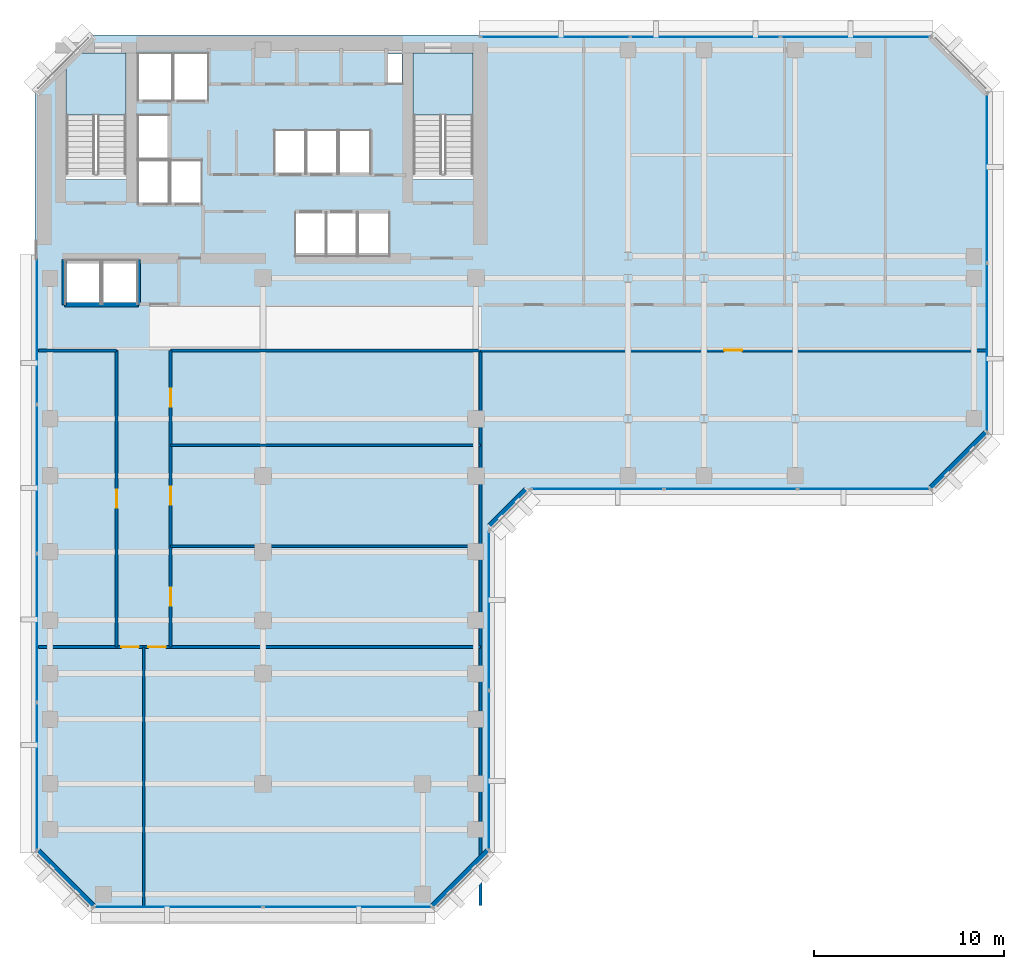
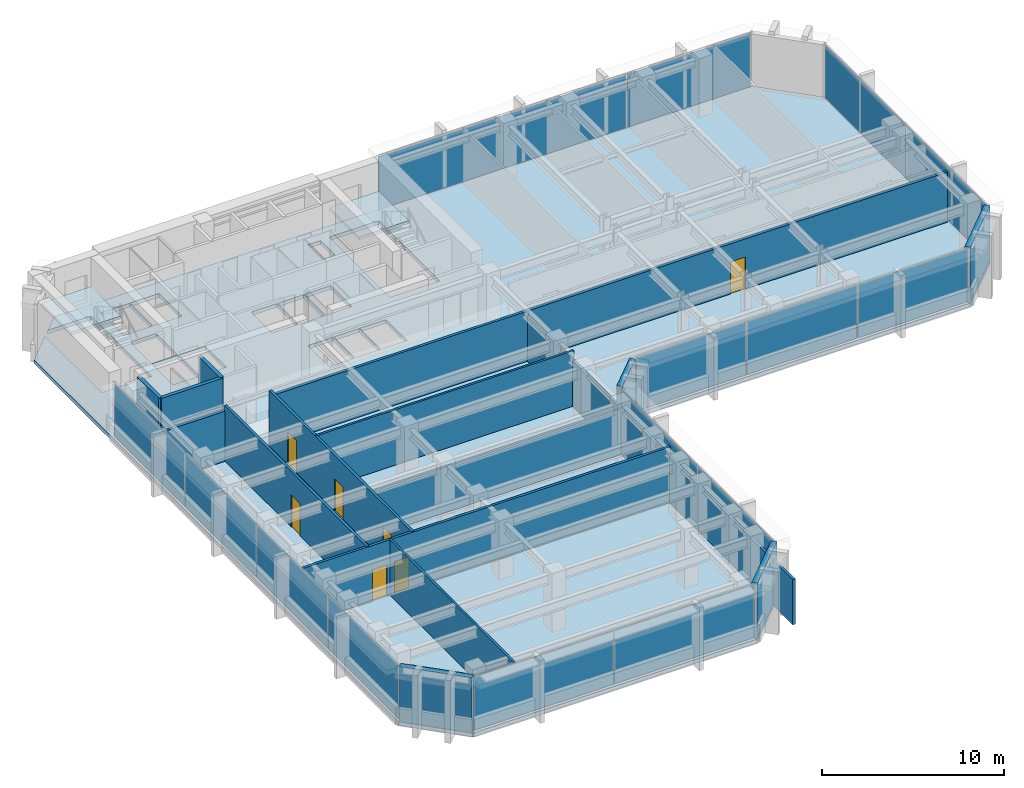
# One storey, part 6 of 11: 17 walls, 16 plates, 7 doors, 3 slabs, 7 openings, 8 elements without a shape of their own.
"""IFC4 building model written with IfcOpenShell, lengths in metres."""

from ifc_helpers import new_model, si_unit, direction, frame, frame_2d, origin, origin_2d, place, context, subcontext, project, spatial, polyline, rectangle, outline, extrude, material, layer, layer_set, type_object, element, fill, aggregate, save


model = new_model("IFC4")

# Units and contexts
model_context = context("Model", 3, precision=1e-05, world=origin(), true_north=direction((0.0, 1.0)))
body_context = subcontext(model_context, "Body", "Model", "MODEL_VIEW")
ifc_project = project(units=[si_unit("LENGTHUNIT", "METRE"), si_unit("AREAUNIT", "SQUARE_METRE"), si_unit("VOLUMEUNIT", "CUBIC_METRE"), si_unit("PLANEANGLEUNIT", "RADIAN"), si_unit("MASSUNIT", "GRAM", prefix="KILO")], contexts=[model_context])

# Site, building, storey
site_placement = place(None, origin())
site = spatial("IfcSite", under=ifc_project, at=site_placement, CompositionType="ELEMENT")
building_placement = place(site_placement, origin())
building = spatial("IfcBuilding", under=site, at=building_placement, Name="Kefirva Bronze Tower", CompositionType="ELEMENT")
storey_placement = place(building_placement, frame((0.0, 0.0, 187.43994140625)))
storey = spatial("IfcBuildingStorey", under=building, at=storey_placement, Name="L45", CompositionType="ELEMENT", Elevation=187.43994140625)

# Stair, slab
ifc_material_1 = material(Name="Concrete C40/50", Category="concrete")
stair_type = type_object("IfcStairType", Name="RC Dogleg Protected Stair 24R", PredefinedType="HALF_TURN_STAIR", material=ifc_material_1)
stair_1_placement = place(storey_placement, origin())
stair_1 = element("IfcStair", 1, at=stair_1_placement, inside=storey, type_object=stair_type, Name="L45 Protected Exit Stair 1", PredefinedType="HALF_TURN_STAIR")
ifc_layer_1 = layer(ifc_material_1, 0.199951171875, Name="Concrete C40/50")
ifc_layer_set_1 = layer_set([ifc_layer_1], Name="Concrete C40/50")
slab_type_1 = type_object("IfcSlabType", Name="RC Stair Landing Slab 200mm", PredefinedType="LANDING", material=ifc_layer_set_1)
slab_1_placement = place(storey_placement, frame((0.0, 0.0, 1.780029296875)))
slab_1 = element("IfcSlab", 2, at=slab_1_placement, type_object=slab_type_1, Name="ST-1 landing 1", PredefinedType="LANDING", context=body_context, shape_type="SweptSolid", body=[
    extrude(outline(polyline([(4.800048828125, 41.780029296875), (4.800048828125, 45.050048828125), (1.64990234375, 45.050048828125), (1.64990234375, 41.780029296875), (4.800048828125, 41.780029296875)])), origin(), (0.0, 0.0, 1.0), 0.199951171875),
])
aggregate(stair_1, [slab_1])

stair_2_placement = place(storey_placement, origin())
stair_2 = element("IfcStair", 3, at=stair_2_placement, inside=storey, type_object=stair_type, Name="L45 Protected Exit Stair 2", PredefinedType="HALF_TURN_STAIR")
slab_2_placement = place(storey_placement, frame((0.0, 0.0, 1.780029296875)))
slab_2 = element("IfcSlab", 4, at=slab_2_placement, type_object=slab_type_1, Name="ST-2 landing 1", PredefinedType="LANDING", context=body_context, shape_type="SweptSolid", body=[
    extrude(outline(polyline([(23.050048828125, 41.780029296875), (23.050048828125, 45.050048828125), (19.89990234375, 45.050048828125), (19.89990234375, 41.780029296875), (23.050048828125, 41.780029296875)])), origin(), (0.0, 0.0, 1.0), 0.199951171875),
])
aggregate(stair_2, [slab_2])

# Slab
ifc_layer_2 = layer(ifc_material_1, 0.25, Name="Concrete C40/50")
ifc_layer_set_2 = layer_set([ifc_layer_2], Name="Concrete C40/50")
slab_type_2 = type_object("IfcSlabType", Name="RC Tower Floor Slab 250mm", PredefinedType="FLOOR", material=ifc_layer_set_2)
slab_3_placement = place(storey_placement, frame((0.0, 0.0, -0.25)))
element("IfcSlab", 5, at=slab_3_placement, inside=storey, type_object=slab_type_2, Name="L45 Structural Floor Slab", PredefinedType="FLOOR", context=body_context, shape_type="SweptSolid", body=[
    extrude(outline(polyline([(0.0, 3.0), (0.0, 43.0), (1.64990234375, 44.64990234375), (1.64990234375, 38.39990234375), (4.800048828125, 38.39990234375), (4.800048828125, 45.050048828125), (2.050048828125, 45.050048828125), (3.0, 46.0), (47.199951171875, 46.0), (50.199951171875, 43.0), (50.199951171875, 25.0), (47.199951171875, 22.0), (26.0, 22.0), (24.0, 20.0), (24.0, 3.0), (21.0, 0.0), (3.0, 0.0), (0.0, 3.0)]), holes=[polyline([(23.050048828125, 38.39990234375), (23.050048828125, 45.050048828125), (19.89990234375, 45.050048828125), (19.89990234375, 38.39990234375), (23.050048828125, 38.39990234375)]), polyline([(19.320068359375, 43.419921875), (19.320068359375, 45.0), (18.52001953125, 45.0), (18.52001953125, 43.419921875), (19.320068359375, 43.419921875)]), polyline([(18.64990234375, 34.35009765625), (18.64990234375, 36.64990234375), (17.0, 36.64990234375), (17.0, 34.35009765625), (18.64990234375, 34.35009765625)]), polyline([(17.64990234375, 38.679931640625), (17.64990234375, 40.97998046875), (16.0, 40.97998046875), (16.0, 38.679931640625), (17.64990234375, 38.679931640625)]), polyline([(16.949951171875, 34.35009765625), (16.949951171875, 36.64990234375), (15.35009765625, 36.64990234375), (15.35009765625, 34.35009765625), (16.949951171875, 34.35009765625)]), polyline([(15.929931640625, 38.679931640625), (15.929931640625, 40.97998046875), (14.300048828125, 40.97998046875), (14.300048828125, 38.679931640625), (15.929931640625, 38.679931640625)]), polyline([(15.300048828125, 34.35009765625), (15.300048828125, 36.64990234375), (13.699951171875, 36.64990234375), (13.699951171875, 34.35009765625), (15.300048828125, 34.35009765625)]), polyline([(14.22998046875, 38.679931640625), (14.22998046875, 40.97998046875), (12.60009765625, 40.97998046875), (12.60009765625, 38.679931640625), (14.22998046875, 38.679931640625)]), polyline([(9.1201171875, 42.550048828125), (9.1201171875, 45.050048828125), (7.300048828125, 45.050048828125), (7.300048828125, 42.550048828125), (9.1201171875, 42.550048828125)]), polyline([(8.780029296875, 37.10009765625), (8.780029296875, 39.39990234375), (7.139892578125, 39.39990234375), (7.139892578125, 37.10009765625), (8.780029296875, 37.10009765625)]), polyline([(7.239990234375, 42.550048828125), (7.239990234375, 45.050048828125), (5.419921875, 45.050048828125), (5.419921875, 42.550048828125), (7.239990234375, 42.550048828125)]), polyline([(7.06005859375, 37.10009765625), (7.06005859375, 39.39990234375), (5.419921875, 39.39990234375), (5.419921875, 37.10009765625), (7.06005859375, 37.10009765625)]), polyline([(7.06005859375, 39.47998046875), (7.06005859375, 41.780029296875), (5.419921875, 41.780029296875), (5.419921875, 39.47998046875), (7.06005859375, 39.47998046875)]), polyline([(5.39990234375, 31.85009765625), (5.39990234375, 34.14990234375), (3.550048828125, 34.14990234375), (3.550048828125, 31.85009765625), (5.39990234375, 31.85009765625)]), polyline([(3.449951171875, 31.85009765625), (3.449951171875, 34.14990234375), (1.60009765625, 34.14990234375), (1.60009765625, 31.85009765625), (3.449951171875, 31.85009765625)])]), origin(), (0.0, 0.0, 1.0), 0.25),
])

# Curtain wall, plates
ifc_material_2 = material(Name="Bronze anodised aluminium", Category="aluminium")
ifc_layer_3 = layer(ifc_material_2, 0.199951171875, Name="Bronze anodised aluminium")
ifc_layer_set_3 = layer_set([ifc_layer_3], Name="Bronze anodised aluminium")
curtain_wall_type = type_object("IfcCurtainWallType", Name="Unitised Bronze Ribbon Curtain Wall Zone 2", PredefinedType="USERDEFINED", material=ifc_layer_set_3)
curtain_wall_1_placement = place(storey_placement, origin())
curtain_wall_1 = element("IfcCurtainWall", 6, at=curtain_wall_1_placement, inside=storey, type_object=curtain_wall_type, Name="L45 Curtain Wall 1", ObjectType="UNITISED CURTAIN WALL", PredefinedType="USERDEFINED")
ifc_material_3 = material(Name="Laminated low-E double glazing", Category="glass")
ifc_layer_4 = layer(ifc_material_3, 0.031982421875, Name="Laminated low-E double glazing")
ifc_layer_set_4 = layer_set([ifc_layer_4], Name="Laminated low-E double glazing")
plate_type = type_object("IfcPlateType", Name="Solar-Control Low-E Vision Panel 32mm", PredefinedType="CURTAIN_PANEL", material=ifc_layer_set_4)
plate_1_placement = place(storey_placement, frame((7.546142578125, 0.1201171875, 0.074951171875), z_axis=(0.0, 0.0, 1.0), x_axis=(1.0, 0.0, 0.0)))
plate_1 = element("IfcPlate", 7, at=plate_1_placement, type_object=plate_type, Name="CW-02 panel 1.1", PredefinedType="CURTAIN_PANEL", context=body_context, shape_type="SweptSolid", body=[
    extrude(rectangle(XDim=8.83251953125, YDim=0.031982421875, at=origin_2d()), origin(), (0.0, 0.0, 1.0), 3.56005859375),
])
plate_2_placement = place(storey_placement, frame((16.453857421875, 0.1201171875, 0.074951171875), z_axis=(0.0, 0.0, 1.0), x_axis=(1.0, 0.0, 0.0)))
plate_2 = element("IfcPlate", 8, at=plate_2_placement, type_object=plate_type, Name="CW-02 panel 2.1", PredefinedType="CURTAIN_PANEL", context=body_context, shape_type="SweptSolid", body=[
    extrude(rectangle(XDim=8.83251953125, YDim=0.031982421875, at=origin_2d()), origin(), (0.0, 0.0, 1.0), 3.56005859375),
])
aggregate(curtain_wall_1, [plate_1, plate_2])

curtain_wall_2_placement = place(storey_placement, origin())
curtain_wall_2 = element("IfcCurtainWall", 9, at=curtain_wall_2_placement, inside=storey, type_object=curtain_wall_type, Name="L45 Curtain Wall 2", ObjectType="UNITISED CURTAIN WALL", PredefinedType="USERDEFINED")
plate_3_placement = place(storey_placement, frame((23.8798828125, 7.296142578125, 0.074951171875), z_axis=(0.0, 0.0, 1.0), x_axis=(0.0, 1.0, 0.0)))
plate_3 = element("IfcPlate", 10, at=plate_3_placement, type_object=plate_type, Name="CW-02 panel 1.1", PredefinedType="CURTAIN_PANEL", context=body_context, shape_type="SweptSolid", body=[
    extrude(rectangle(XDim=8.33251953125, YDim=0.031982421875, at=origin_2d()), origin(), (0.0, 0.0, 1.0), 3.56005859375),
])
plate_4_placement = place(storey_placement, frame((23.8798828125, 15.703857421875, 0.074951171875), z_axis=(0.0, 0.0, 1.0), x_axis=(0.0, 1.0, 0.0)))
plate_4 = element("IfcPlate", 11, at=plate_4_placement, type_object=plate_type, Name="CW-02 panel 2.1", PredefinedType="CURTAIN_PANEL", context=body_context, shape_type="SweptSolid", body=[
    extrude(rectangle(XDim=8.33251953125, YDim=0.031982421875, at=origin_2d()), origin(), (0.0, 0.0, 1.0), 3.56005859375),
])
aggregate(curtain_wall_2, [plate_3, plate_4])

curtain_wall_3_placement = place(storey_placement, origin())
curtain_wall_3 = element("IfcCurtainWall", 12, at=curtain_wall_3_placement, inside=storey, type_object=curtain_wall_type, Name="L45 Curtain Wall 3", ObjectType="UNITISED CURTAIN WALL", PredefinedType="USERDEFINED")
plate_5_placement = place(storey_placement, frame((29.5888671875, 22.1201171875, 0.074951171875), z_axis=(0.0, 0.0, 1.0), x_axis=(1.0, 0.0, 0.0)))
plate_5 = element("IfcPlate", 13, at=plate_5_placement, type_object=plate_type, Name="CW-02 panel 1.1", PredefinedType="CURTAIN_PANEL", context=body_context, shape_type="SweptSolid", body=[
    extrude(rectangle(XDim=6.91748046875, YDim=0.031982421875, at=origin_2d()), origin(), (0.0, 0.0, 1.0), 3.56005859375),
])
plate_6_placement = place(storey_placement, frame((36.60009765625, 22.1201171875, 0.074951171875), z_axis=(0.0, 0.0, 1.0), x_axis=(1.0, 0.0, 0.0)))
plate_6 = element("IfcPlate", 14, at=plate_6_placement, type_object=plate_type, Name="CW-02 panel 2.1", PredefinedType="CURTAIN_PANEL", context=body_context, shape_type="SweptSolid", body=[
    extrude(rectangle(XDim=6.955078125, YDim=0.031982421875, at=origin_2d()), origin(), (0.0, 0.0, 1.0), 3.56005859375),
])
plate_7_placement = place(storey_placement, frame((43.611328125, 22.1201171875, 0.074951171875), z_axis=(0.0, 0.0, 1.0), x_axis=(1.0, 0.0, 0.0)))
plate_7 = element("IfcPlate", 15, at=plate_7_placement, type_object=plate_type, Name="CW-02 panel 3.1", PredefinedType="CURTAIN_PANEL", context=body_context, shape_type="SweptSolid", body=[
    extrude(rectangle(XDim=6.91748046875, YDim=0.031982421875, at=origin_2d()), origin(), (0.0, 0.0, 1.0), 3.56005859375),
])
aggregate(curtain_wall_3, [plate_5, plate_6, plate_7])

curtain_wall_4_placement = place(storey_placement, origin())
curtain_wall_4 = element("IfcCurtainWall", 16, at=curtain_wall_4_placement, inside=storey, type_object=curtain_wall_type, Name="L45 Curtain Wall 4", ObjectType="UNITISED CURTAIN WALL", PredefinedType="USERDEFINED")
plate_8_placement = place(storey_placement, frame((50.080078125, 29.546142578125, 0.074951171875), z_axis=(0.0, 0.0, 1.0), x_axis=(0.0, 1.0, 0.0)))
plate_8 = element("IfcPlate", 17, at=plate_8_placement, type_object=plate_type, Name="CW-02 panel 1.1", PredefinedType="CURTAIN_PANEL", context=body_context, shape_type="SweptSolid", body=[
    extrude(rectangle(XDim=8.83251953125, YDim=0.031982421875, at=origin_2d()), origin(), (0.0, 0.0, 1.0), 3.56005859375),
])
plate_9_placement = place(storey_placement, frame((50.080078125, 38.453857421875, 0.074951171875), z_axis=(0.0, 0.0, 1.0), x_axis=(0.0, 1.0, 0.0)))
plate_9 = element("IfcPlate", 18, at=plate_9_placement, type_object=plate_type, Name="CW-02 panel 2.1", PredefinedType="CURTAIN_PANEL", context=body_context, shape_type="SweptSolid", body=[
    extrude(rectangle(XDim=8.83251953125, YDim=0.031982421875, at=origin_2d()), origin(), (0.0, 0.0, 1.0), 3.56005859375),
])
aggregate(curtain_wall_4, [plate_8, plate_9])

curtain_wall_5_placement = place(storey_placement, origin())
curtain_wall_5 = element("IfcCurtainWall", 19, at=curtain_wall_5_placement, inside=storey, type_object=curtain_wall_type, Name="L45 Curtain Wall 5", ObjectType="UNITISED CURTAIN WALL", PredefinedType="USERDEFINED")
plate_10_placement = place(storey_placement, frame((43.169677734375, 45.8798828125, 0.074951171875), z_axis=(0.0, 0.0, 1.0), x_axis=(-1.0, 0.0, 0.0)))
plate_10 = element("IfcPlate", 20, at=plate_10_placement, type_object=plate_type, Name="CW-02 panel 1.1", PredefinedType="CURTAIN_PANEL", context=body_context, shape_type="SweptSolid", body=[
    extrude(rectangle(XDim=7.80078125, YDim=0.031982421875, at=origin_2d()), origin(), (0.0, 0.0, 1.0), 3.56005859375),
])
plate_11_placement = place(storey_placement, frame((35.27490234375, 45.8798828125, 0.074951171875), z_axis=(0.0, 0.0, 1.0), x_axis=(-1.0, 0.0, 0.0)))
plate_11 = element("IfcPlate", 21, at=plate_11_placement, type_object=plate_type, Name="CW-02 panel 2.1", PredefinedType="CURTAIN_PANEL", context=body_context, shape_type="SweptSolid", body=[
    extrude(rectangle(XDim=7.83837890625, YDim=0.031982421875, at=origin_2d()), origin(), (0.0, 0.0, 1.0), 3.56005859375),
])
plate_12_placement = place(storey_placement, frame((27.38037109375, 45.8798828125, 0.074951171875), z_axis=(0.0, 0.0, 1.0), x_axis=(-1.0, 0.0, 0.0)))
plate_12 = element("IfcPlate", 22, at=plate_12_placement, type_object=plate_type, Name="CW-02 panel 3.1", PredefinedType="CURTAIN_PANEL", context=body_context, shape_type="SweptSolid", body=[
    extrude(rectangle(XDim=7.80078125, YDim=0.031982421875, at=origin_2d()), origin(), (0.0, 0.0, 1.0), 3.56005859375),
])
aggregate(curtain_wall_5, [plate_10, plate_11, plate_12])

curtain_wall_6_placement = place(storey_placement, origin())
curtain_wall_6 = element("IfcCurtainWall", 23, at=curtain_wall_6_placement, inside=storey, type_object=curtain_wall_type, Name="L45 Curtain Wall 6", ObjectType="UNITISED CURTAIN WALL", PredefinedType="USERDEFINED")
plate_13_placement = place(storey_placement, frame((0.1201171875, 30.458740234375, 0.074951171875), z_axis=(0.0, 0.0, 1.0), x_axis=(0.0, -1.0, 0.0)))
plate_13 = element("IfcPlate", 24, at=plate_13_placement, type_object=plate_type, Name="CW-02 panel 1.1", PredefinedType="CURTAIN_PANEL", context=body_context, shape_type="SweptSolid", body=[
    extrude(rectangle(XDim=7.722412109375, YDim=0.031982421875, at=origin_2d()), origin(), (0.0, 0.0, 1.0), 3.56005859375),
])
plate_14_placement = place(storey_placement, frame((0.1201171875, 22.642578125, 0.074951171875), z_axis=(0.0, 0.0, 1.0), x_axis=(0.0, -1.0, 0.0)))
plate_14 = element("IfcPlate", 25, at=plate_14_placement, type_object=plate_type, Name="CW-02 panel 2.1", PredefinedType="CURTAIN_PANEL", context=body_context, shape_type="SweptSolid", body=[
    extrude(rectangle(XDim=7.760009765625, YDim=0.031982421875, at=origin_2d()), origin(), (0.0, 0.0, 1.0), 3.56005859375),
])
plate_15_placement = place(storey_placement, frame((0.1201171875, 14.8076171875, 0.074951171875), z_axis=(0.0, 0.0, 1.0), x_axis=(0.0, -1.0, 0.0)))
plate_15 = element("IfcPlate", 26, at=plate_15_placement, type_object=plate_type, Name="CW-02 panel 3.1", PredefinedType="CURTAIN_PANEL", context=body_context, shape_type="SweptSolid", body=[
    extrude(rectangle(XDim=7.760009765625, YDim=0.031982421875, at=origin_2d()), origin(), (0.0, 0.0, 1.0), 3.56005859375),
])
plate_16_placement = place(storey_placement, frame((0.1201171875, 6.9912109375, 0.074951171875), z_axis=(0.0, 0.0, 1.0), x_axis=(0.0, -1.0, 0.0)))
plate_16 = element("IfcPlate", 27, at=plate_16_placement, type_object=plate_type, Name="CW-02 panel 4.1", PredefinedType="CURTAIN_PANEL", context=body_context, shape_type="SweptSolid", body=[
    extrude(rectangle(XDim=7.722412109375, YDim=0.031982421875, at=origin_2d()), origin(), (0.0, 0.0, 1.0), 3.56005859375),
])
aggregate(curtain_wall_6, [plate_13, plate_14, plate_15, plate_16])

# Walls
ifc_material_4 = material(Name="Gypsum acoustic partition")
ifc_layer_5 = layer(ifc_material_4, 0.1298828125, Name="Gypsum acoustic partition")
ifc_layer_set_5 = layer_set([ifc_layer_5], Name="Gypsum acoustic partition")
wall_type_1 = type_object("IfcWallType", Name="Acoustic Office Partition 130mm", PredefinedType="PARTITIONING", material=ifc_layer_set_5)
wall_1_placement = place(storey_placement, frame((5.719970703125, 0.18994140625, 0.0), z_axis=(0.0, 0.0, 1.0), x_axis=(0.0, 1.0, 0.0)))
element("IfcWall", 28, at=wall_1_placement, inside=storey, type_object=wall_type_1, Name="L45 Partition W-L45-CAPDV", PredefinedType="PARTITIONING", context=body_context, shape_type="SweptSolid", body=[
    extrude(rectangle(XDim=13.610107421875, YDim=0.1298828125, at=frame_2d((6.80517578125, 0.0))), origin(), (0.0, 0.0, 1.0), 3.7099609375),
])
wall_2_placement = place(storey_placement, frame((7.139892578125, 19.10400390625, 0.0), z_axis=(0.0, 0.0, 1.0), x_axis=(1.0, 0.0, 0.0)))
element("IfcWall", 29, at=wall_2_placement, inside=storey, type_object=wall_type_1, Name="L45 Partition W-L45-SED1", PredefinedType="PARTITIONING", context=body_context, shape_type="SweptSolid", body=[
    extrude(rectangle(XDim=16.31005859375, YDim=0.1298828125, at=frame_2d((8.155029296875, 0.0))), origin(), (0.0, 0.0, 1.0), 3.045166015625),
])
wall_3_placement = place(storey_placement, frame((7.139892578125, 24.407958984375, 0.0), z_axis=(0.0, 0.0, 1.0), x_axis=(1.0, 0.0, 0.0)))
element("IfcWall", 30, at=wall_3_placement, inside=storey, type_object=wall_type_1, Name="L45 Partition W-L45-SED2", PredefinedType="PARTITIONING", context=body_context, shape_type="SweptSolid", body=[
    extrude(rectangle(XDim=16.31005859375, YDim=0.1298828125, at=frame_2d((8.155029296875, 0.0))), origin(), (0.0, 0.0, 1.0), 3.7099609375),
])
ifc_material_5 = material(Name="Gypsum fireboard shaftwall")
ifc_layer_6 = layer(ifc_material_5, 0.219970703125, Name="Gypsum fireboard shaftwall")
ifc_layer_set_6 = layer_set([ifc_layer_6], Name="Gypsum fireboard shaftwall")
wall_type_2 = type_object("IfcWallType", Name="Fire-Rated Shaft Enclosure Wall 220mm", PredefinedType="PARTITIONING", material=ifc_layer_set_6)
wall_4_placement = place(storey_placement, frame((1.550048828125, 31.800048828125, 0.0), z_axis=(0.0, 0.0, 1.0), x_axis=(1.0, 0.0, 0.0)))
element("IfcWall", 31, at=wall_4_placement, inside=storey, type_object=wall_type_2, Name="L45 Partition W-L45-OBS", PredefinedType="PARTITIONING", context=body_context, shape_type="SweptSolid", body=[
    extrude(rectangle(XDim=3.89990234375, YDim=0.219970703125, at=frame_2d((1.949951171875, 0.0))), origin(), (0.0, 0.0, 1.0), 3.7099609375),
])
for number, where, z_axis, x_axis, name in (
    (32, (1.550048828125, 31.800048828125, 0.0), (0.0, 0.0, 1.0), (0.0, 1.0, 0.0), "L45 Partition W-L45-OBW"),
    (33, (5.449951171875, 31.800048828125, 0.0), (0.0, 0.0, 1.0), (0.0, 1.0, 0.0), "L45 Partition W-L45-OBE"),
):
    element("IfcWall", number, at=place(storey_placement, frame(where, z_axis=z_axis, x_axis=x_axis)), inside=storey, type_object=wall_type_2, Name=name, PredefinedType="PARTITIONING", context=body_context, shape_type="SweptSolid", body=[
        extrude(rectangle(XDim=2.3798828125, YDim=0.219970703125, at=frame_2d((1.18994140625, 0.0))), origin(), (0.0, 0.0, 1.0), 3.7099609375),
    ])
ifc_material_6 = material(Name="Precast concrete C40/50", Category="concrete")
ifc_layer_7 = layer(ifc_material_6, 0.320068359375, Name="Precast concrete C40/50")
ifc_layer_set_7 = layer_set([ifc_layer_7], Name="Precast concrete C40/50")
wall_type_3 = type_object("IfcWallType", Name="Precast Insulated Exterior Wall 320mm", PredefinedType="SOLIDWALL", material=ifc_layer_set_7)
wall_5_placement = place(storey_placement, frame((20.92578125, 0.152099609375, 0.0), z_axis=(0.0, 0.0, 1.0), x_axis=(0.707106781187, 0.707106781187, 0.0)))
element("IfcWall", 34, at=wall_5_placement, inside=storey, type_object=wall_type_3, Name="L45 Exterior Facade Wall 1", PredefinedType="SOLIDWALL", context=body_context, shape_type="SweptSolid", body=[
    extrude(rectangle(XDim=4.132568359375, YDim=0.320068359375, at=frame_2d((2.06640625, 0.0))), origin(), (0.0, 0.0, 1.0), 3.7099609375),
])
wall_6_placement = place(storey_placement, frame((23.92578125, 20.152099609375, 0.0), z_axis=(0.0, 0.0, 1.0), x_axis=(0.707106781187, 0.707106781187, 0.0)))
element("IfcWall", 35, at=wall_6_placement, inside=storey, type_object=wall_type_3, Name="L45 Exterior Facade Wall 2", PredefinedType="SOLIDWALL", context=body_context, shape_type="SweptSolid", body=[
    extrude(rectangle(XDim=2.71826171875, YDim=0.320068359375, at=frame_2d((1.359130859375, 0.0))), origin(), (0.0, 0.0, 1.0), 3.7099609375),
])
for number, where, z_axis, x_axis, name in (
    (36, (47.125732421875, 22.152099609375, 0.0), (0.0, 0.0, 1.0), (0.707136318428, 0.707077242712, 0.0), "L45 Exterior Facade Wall 3"),
    (37, (0.152099609375, 3.07421875, 0.0), (0.0, 0.0, 1.0), (0.707106781187, -0.707106781187, 0.0), "L45 Exterior Facade Wall 6"),
):
    element("IfcWall", number, at=place(storey_placement, frame(where, z_axis=z_axis, x_axis=x_axis)), inside=storey, type_object=wall_type_3, Name=name, PredefinedType="SOLIDWALL", context=body_context, shape_type="SweptSolid", body=[
        extrude(rectangle(XDim=4.132568359375, YDim=0.320068359375, at=frame_2d((2.06640625, 0.0))), origin(), (0.0, 0.0, 1.0), 3.7099609375),
    ])

# Wall, opening, door
ifc_layer_8 = layer(ifc_material_4, 0.159912109375, Name="Gypsum acoustic partition")
ifc_layer_set_8 = layer_set([ifc_layer_8], Name="Gypsum acoustic partition")
wall_type_4 = type_object("IfcWallType", Name="Protected Corridor Partition 160mm", PredefinedType="PARTITIONING", material=ifc_layer_set_8)
wall_7_placement = place(storey_placement, frame((4.300048828125, 13.800048828125, 0.0), z_axis=(0.0, 0.0, 1.0), x_axis=(0.0, 1.0, 0.0)))
wall_7 = element("IfcWall", 38, at=wall_7_placement, inside=storey, type_object=wall_type_4, Name="L45 Partition W-L45-SWCORW", PredefinedType="PARTITIONING", context=body_context, shape_type="SweptSolid", body=[
    extrude(rectangle(XDim=15.599853515625, YDim=0.159912109375, at=frame_2d((7.7998046875, 0.0))), origin(), (0.0, 0.0, 1.0), 3.7099609375),
])
opening_1_placement = place(wall_7_placement, frame((8.27490234375, 0.0, 0.0), z_axis=(0.0, 0.0, 1.0), x_axis=(-1.0, 0.0, 0.0)))
opening_1 = element("IfcOpeningElement", 39, at=opening_1_placement, cuts=wall_7, Name="Opening L45-D-SW1", PredefinedType="OPENING", context=body_context, shape_type="SweptSolid", body=[
    extrude(rectangle(XDim=0.949951171875, YDim=2.14990234375, at=frame_2d((0.47509765625, 1.074951171875))), frame((0.0, 0.08984375, 0.0), z_axis=(0.0, -1.0, 0.0), x_axis=(1.0, 0.0, 0.0)), (0.0, 0.0, 1.0), 0.179931640625),
])
ifc_material_7 = material(Name="Acoustic hardwood oak", Category="wood")
door_type_1 = type_object("IfcDoorType", Name="Office & Meeting Room Door 950x2150", OperationType="NOTDEFINED", PredefinedType="DOOR", material=ifc_material_7)
door_1_placement = place(opening_1_placement, origin())
door_1 = element("IfcDoor", 40, at=door_1_placement, inside=storey, type_object=door_type_1, Name="Door L45-D-SW1", OperationType="SINGLE_SWING_RIGHT", OverallHeight=2.14990234375, OverallWidth=0.949951171875, PredefinedType="DOOR", context=body_context, shape_type="SweptSolid", body=[
    extrude(rectangle(XDim=0.949951171875, YDim=2.14990234375, at=frame_2d((0.47509765625, 1.074951171875))), frame((0.0, 0.02490234375, 0.0), z_axis=(0.0, -1.0, 0.0), x_axis=(1.0, 0.0, 0.0)), (0.0, 0.0, 1.0), 0.050048828125),
])
fill(opening_1, door_1)

# Wall, openings, doors
wall_8_placement = place(storey_placement, frame((7.139892578125, 13.800048828125, 0.0), z_axis=(0.0, 0.0, 1.0), x_axis=(0.0, 1.0, 0.0)))
wall_8 = element("IfcWall", 41, at=wall_8_placement, inside=storey, type_object=wall_type_4, Name="L45 Partition W-L45-SECORE", PredefinedType="PARTITIONING", context=body_context, shape_type="SweptSolid", body=[
    extrude(rectangle(XDim=15.599853515625, YDim=0.159912109375, at=frame_2d((7.7998046875, 0.0))), origin(), (0.0, 0.0, 1.0), 3.7099609375),
])
opening_2_placement = place(wall_8_placement, frame((2.177001953125, 0.0, 0.0)))
opening_2 = element("IfcOpeningElement", 42, at=opening_2_placement, cuts=wall_8, Name="Opening L45-D-SE1", PredefinedType="OPENING", context=body_context, shape_type="SweptSolid", body=[
    extrude(rectangle(XDim=0.949951171875, YDim=2.14990234375, at=frame_2d((0.47509765625, 1.074951171875))), frame((0.0, 0.08984375, 0.0), z_axis=(0.0, -1.0, 0.0), x_axis=(1.0, 0.0, 0.0)), (0.0, 0.0, 1.0), 0.179931640625),
])
opening_3_placement = place(wall_8_placement, frame((7.48095703125, 0.0, 0.0)))
opening_3 = element("IfcOpeningElement", 43, at=opening_3_placement, cuts=wall_8, Name="Opening L45-D-SE2", PredefinedType="OPENING", context=body_context, shape_type="SweptSolid", body=[
    extrude(rectangle(XDim=0.949951171875, YDim=2.14990234375, at=frame_2d((0.47509765625, 1.074951171875))), frame((0.0, 0.08984375, 0.0), z_axis=(0.0, -1.0, 0.0), x_axis=(1.0, 0.0, 0.0)), (0.0, 0.0, 1.0), 0.179931640625),
])
opening_4_placement = place(wall_8_placement, frame((12.62890625, 0.0, 0.0)))
opening_4 = element("IfcOpeningElement", 44, at=opening_4_placement, cuts=wall_8, Name="Opening L45-D-SE3", PredefinedType="OPENING", context=body_context, shape_type="SweptSolid", body=[
    extrude(rectangle(XDim=0.949951171875, YDim=2.14990234375, at=frame_2d((0.47509765625, 1.074951171875))), frame((0.0, 0.08984375, 0.0), z_axis=(0.0, -1.0, 0.0), x_axis=(1.0, 0.0, 0.0)), (0.0, 0.0, 1.0), 0.179931640625),
])
door_2_placement = place(opening_2_placement, origin())
door_2 = element("IfcDoor", 45, at=door_2_placement, inside=storey, type_object=door_type_1, Name="Door L45-D-SE1", OperationType="SINGLE_SWING_LEFT", OverallHeight=2.14990234375, OverallWidth=0.949951171875, PredefinedType="DOOR", context=body_context, shape_type="SweptSolid", body=[
    extrude(rectangle(XDim=0.949951171875, YDim=2.14990234375, at=frame_2d((0.47509765625, 1.074951171875))), frame((0.0, 0.02490234375, 0.0), z_axis=(0.0, -1.0, 0.0), x_axis=(1.0, 0.0, 0.0)), (0.0, 0.0, 1.0), 0.050048828125),
])
fill(opening_2, door_2)
door_3_placement = place(opening_3_placement, origin())
door_3 = element("IfcDoor", 46, at=door_3_placement, inside=storey, type_object=door_type_1, Name="Door L45-D-SE2", OperationType="SINGLE_SWING_RIGHT", OverallHeight=2.14990234375, OverallWidth=0.949951171875, PredefinedType="DOOR", context=body_context, shape_type="SweptSolid", body=[
    extrude(rectangle(XDim=0.949951171875, YDim=2.14990234375, at=frame_2d((0.47509765625, 1.074951171875))), frame((0.0, 0.02490234375, 0.0), z_axis=(0.0, -1.0, 0.0), x_axis=(1.0, 0.0, 0.0)), (0.0, 0.0, 1.0), 0.050048828125),
])
fill(opening_3, door_3)
door_4_placement = place(opening_4_placement, origin())
door_4 = element("IfcDoor", 47, at=door_4_placement, inside=storey, type_object=door_type_1, Name="Door L45-D-SE3", OperationType="SINGLE_SWING_LEFT", OverallHeight=2.14990234375, OverallWidth=0.949951171875, PredefinedType="DOOR", context=body_context, shape_type="SweptSolid", body=[
    extrude(rectangle(XDim=0.949951171875, YDim=2.14990234375, at=frame_2d((0.47509765625, 1.074951171875))), frame((0.0, 0.02490234375, 0.0), z_axis=(0.0, -1.0, 0.0), x_axis=(1.0, 0.0, 0.0)), (0.0, 0.0, 1.0), 0.050048828125),
])
fill(opening_4, door_4)

wall_9_placement = place(storey_placement, frame((0.18994140625, 13.800048828125, 0.0), z_axis=(0.0, 0.0, 1.0), x_axis=(1.0, 0.0, 0.0)))
wall_9 = element("IfcWall", 48, at=wall_9_placement, inside=storey, type_object=wall_type_4, Name="L45 Partition W-L45-SBEND", PredefinedType="PARTITIONING", context=body_context, shape_type="SweptSolid", body=[
    extrude(rectangle(XDim=23.260009765625, YDim=0.159912109375, at=frame_2d((11.6298828125, 0.0))), origin(), (0.0, 0.0, 1.0), 3.7099609375),
])
opening_5_placement = place(wall_9_placement, frame((4.360107421875, 0.0, 0.0)))
opening_5 = element("IfcOpeningElement", 49, at=opening_5_placement, cuts=wall_9, Name="Opening L45-D-SEND1", PredefinedType="OPENING", context=body_context, shape_type="SweptSolid", body=[
    extrude(rectangle(XDim=0.919921875, YDim=2.10009765625, at=frame_2d((0.4599609375, 1.050048828125))), frame((0.0, 0.08984375, 0.0), z_axis=(0.0, -1.0, 0.0), x_axis=(1.0, 0.0, 0.0)), (0.0, 0.0, 1.0), 0.179931640625),
])
opening_6_placement = place(wall_9_placement, frame((5.780029296875, 0.0, 0.0)))
opening_6 = element("IfcOpeningElement", 50, at=opening_6_placement, cuts=wall_9, Name="Opening L45-D-SEND2", PredefinedType="OPENING", context=body_context, shape_type="SweptSolid", body=[
    extrude(rectangle(XDim=0.919921875, YDim=2.10009765625, at=frame_2d((0.4599609375, 1.050048828125))), frame((0.0, 0.08984375, 0.0), z_axis=(0.0, -1.0, 0.0), x_axis=(1.0, 0.0, 0.0)), (0.0, 0.0, 1.0), 0.179931640625),
])
ifc_material_8 = material(Name="Moisture-resistant timber", Category="wood")
door_type_2 = type_object("IfcDoorType", Name="Accessible Sanitary & WC Door 920x2100", OperationType="NOTDEFINED", PredefinedType="DOOR", material=ifc_material_8)
door_5_placement = place(opening_5_placement, origin())
door_5 = element("IfcDoor", 51, at=door_5_placement, inside=storey, type_object=door_type_2, Name="Door L45-D-SEND1", OperationType="SINGLE_SWING_RIGHT", OverallHeight=2.10009765625, OverallWidth=0.919921875, PredefinedType="DOOR", context=body_context, shape_type="SweptSolid", body=[
    extrude(rectangle(XDim=0.919921875, YDim=2.10009765625, at=frame_2d((0.4599609375, 1.050048828125))), frame((0.0, 0.02490234375, 0.0), z_axis=(0.0, -1.0, 0.0), x_axis=(1.0, 0.0, 0.0)), (0.0, 0.0, 1.0), 0.050048828125),
])
fill(opening_5, door_5)
door_6_placement = place(opening_6_placement, origin())
door_6 = element("IfcDoor", 52, at=door_6_placement, inside=storey, type_object=door_type_2, Name="Door L45-D-SEND2", OperationType="SINGLE_SWING_LEFT", OverallHeight=2.10009765625, OverallWidth=0.919921875, PredefinedType="DOOR", context=body_context, shape_type="SweptSolid", body=[
    extrude(rectangle(XDim=0.919921875, YDim=2.10009765625, at=frame_2d((0.4599609375, 1.050048828125))), frame((0.0, 0.02490234375, 0.0), z_axis=(0.0, -1.0, 0.0), x_axis=(1.0, 0.0, 0.0)), (0.0, 0.0, 1.0), 0.050048828125),
])
fill(opening_6, door_6)

# Walls
wall_10_placement = place(storey_placement, frame((0.18994140625, 29.39990234375, 0.0), z_axis=(0.0, 0.0, 1.0), x_axis=(1.0, 0.0, 0.0)))
element("IfcWall", 53, at=wall_10_placement, inside=storey, type_object=wall_type_4, Name="L45 Partition W-L45-NWT", PredefinedType="PARTITIONING", context=body_context, shape_type="SweptSolid", body=[
    extrude(rectangle(XDim=4.110107421875, YDim=0.159912109375, at=frame_2d((2.05517578125, 0.0))), origin(), (0.0, 0.0, 1.0), 3.364990234375),
])
wall_11_placement = place(storey_placement, frame((7.139892578125, 29.39990234375, 0.0), z_axis=(0.0, 0.0, 1.0), x_axis=(1.0, 0.0, 0.0)))
element("IfcWall", 54, at=wall_11_placement, inside=storey, type_object=wall_type_4, Name="L45 Partition W-L45-NET", PredefinedType="PARTITIONING", context=body_context, shape_type="SweptSolid", body=[
    extrude(rectangle(XDim=16.31005859375, YDim=0.159912109375, at=frame_2d((8.155029296875, 0.0))), origin(), (0.0, 0.0, 1.0), 3.364990234375),
])
wall_12_placement = place(storey_placement, frame((23.449951171875, 0.18994140625, 0.0), z_axis=(0.0, 0.0, 1.0), x_axis=(0.0, 1.0, 0.0)))
element("IfcWall", 55, at=wall_12_placement, inside=storey, type_object=wall_type_4, Name="L45 Partition W-L45-SWEAST", PredefinedType="PARTITIONING", context=body_context, shape_type="SweptSolid", body=[
    extrude(rectangle(XDim=29.2099609375, YDim=0.159912109375, at=frame_2d((14.60498046875, 0.0))), origin(), (0.0, 0.0, 1.0), 3.045166015625),
])

# Wall, opening, door
wall_13_placement = place(storey_placement, frame((23.449951171875, 29.39990234375, 0.0), z_axis=(0.0, 0.0, 1.0), x_axis=(1.0, 0.0, 0.0)))
wall_13 = element("IfcWall", 56, at=wall_13_placement, inside=storey, type_object=wall_type_4, Name="L45 Partition W-L45-EWS", PredefinedType="PARTITIONING", context=body_context, shape_type="SweptSolid", body=[
    extrude(rectangle(XDim=26.56005859375, YDim=0.159912109375, at=frame_2d((13.280029296875, 0.0))), origin(), (0.0, 0.0, 1.0), 3.364990234375),
])
opening_7_placement = place(wall_13_placement, frame((13.7548828125, 0.0, 0.0), z_axis=(0.0, 0.0, 1.0), x_axis=(-1.0, 0.0, 0.0)))
opening_7 = element("IfcOpeningElement", 57, at=opening_7_placement, cuts=wall_13, Name="Opening L45-D-ES1", PredefinedType="OPENING", context=body_context, shape_type="SweptSolid", body=[
    extrude(rectangle(XDim=0.949951171875, YDim=2.14990234375, at=frame_2d((0.47509765625, 1.074951171875))), frame((0.0, 0.08984375, 0.0), z_axis=(0.0, -1.0, 0.0), x_axis=(1.0, 0.0, 0.0)), (0.0, 0.0, 1.0), 0.179931640625),
])
door_7_placement = place(opening_7_placement, origin())
door_7 = element("IfcDoor", 58, at=door_7_placement, inside=storey, type_object=door_type_1, Name="Door L45-D-ES1", OperationType="SINGLE_SWING_RIGHT", OverallHeight=2.14990234375, OverallWidth=0.949951171875, PredefinedType="DOOR", context=body_context, shape_type="SweptSolid", body=[
    extrude(rectangle(XDim=0.949951171875, YDim=2.14990234375, at=frame_2d((0.47509765625, 1.074951171875))), frame((0.0, 0.02490234375, 0.0), z_axis=(0.0, -1.0, 0.0), x_axis=(1.0, 0.0, 0.0)), (0.0, 0.0, 1.0), 0.050048828125),
])
fill(opening_7, door_7)

save(model, "model.ifc")
